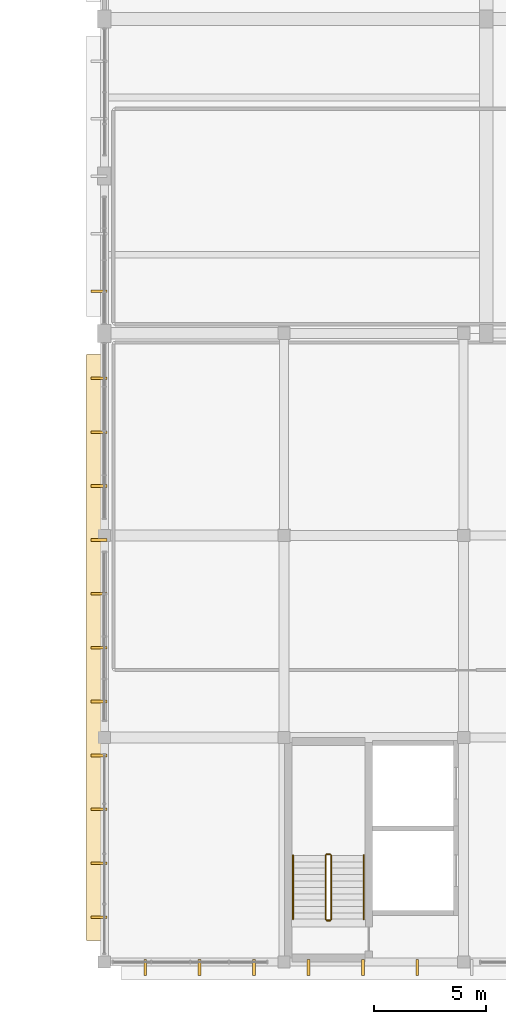
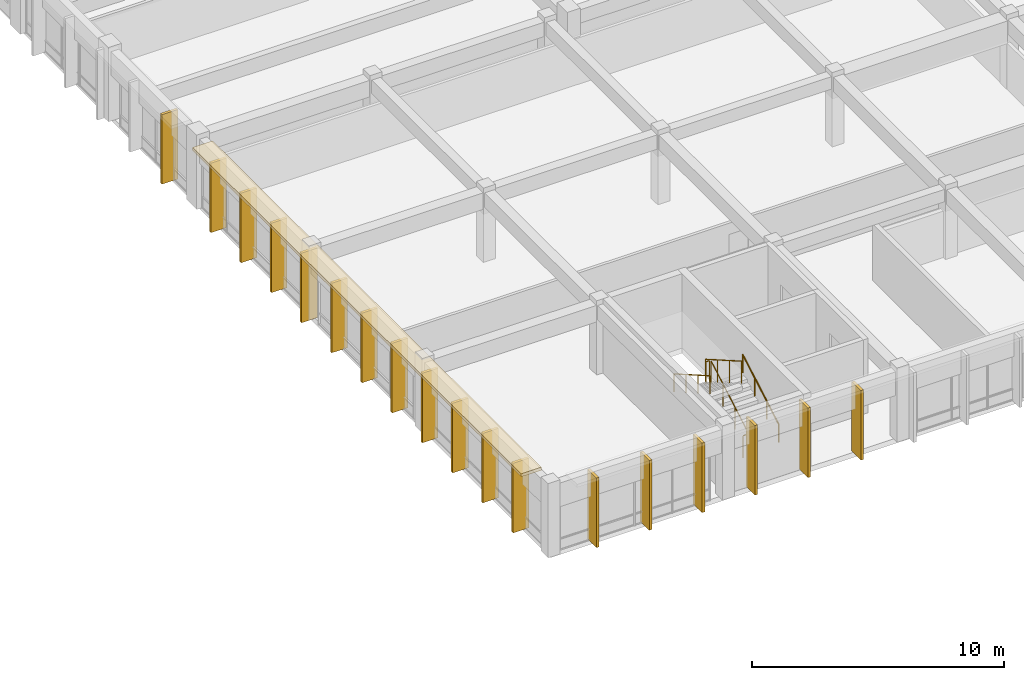
# One storey, part 64 of 77: 19 coverings, 6 railings.
"""IFC4 building model written with IfcOpenShell, lengths in metres."""

from ifc_helpers import new_model, si_unit, direction, frame, origin, origin_2d, place, context, subcontext, project, spatial, rectangle, circle, extrude, material, layer, layer_set, type_object, element, save


model = new_model("IFC4")

# Units and contexts
model_context = context("Model", 3, precision=1e-05, world=origin(), true_north=direction((0.0, 1.0)))
body_context = subcontext(model_context, "Body", "Model", "MODEL_VIEW")
ifc_project = project(units=[si_unit("LENGTHUNIT", "METRE"), si_unit("AREAUNIT", "SQUARE_METRE"), si_unit("VOLUMEUNIT", "CUBIC_METRE"), si_unit("PLANEANGLEUNIT", "RADIAN"), si_unit("MASSUNIT", "GRAM", prefix="KILO")], contexts=[model_context])

# Site, building, storey
site_placement = place(None, origin())
site = spatial("IfcSite", under=ifc_project, at=site_placement, CompositionType="ELEMENT")
building_placement = place(site_placement, origin())
building = spatial("IfcBuilding", under=site, at=building_placement, Name="Larkveld Mobility Hub", CompositionType="ELEMENT")
storey_placement = place(building_placement, frame((0.0, 0.0, 12.0)))
storey = spatial("IfcBuildingStorey", under=building, at=storey_placement, Name="L03", CompositionType="ELEMENT", Elevation=12.0)

# Coverings
ifc_material_1 = material(Name="Precast concrete C50/60", Category="concrete")
ifc_layer_1 = layer(ifc_material_1, 0.14990234375, Name="Precast concrete C50/60", Category="concrete")
ifc_layer_set_1 = layer_set([ifc_layer_1], Name="Precast concrete C50/60")
covering_type_1 = type_object("IfcCoveringType", Name="COV-QSL-H01", PredefinedType="CLADDING", material=ifc_layer_set_1)
covering_placement = place(storey_placement, frame((111.659912109375, 14.0, 3.3701171875), z_axis=(0.0, 0.0, 1.0), x_axis=(0.0, -1.0, 0.0)))
element("IfcCovering", 1, at=covering_placement, inside=storey, type_object=covering_type_1, Name="Precast Quebra-Sol Horizontal Sunbreaker QSH-342", PredefinedType="CLADDING", context=body_context, shape_type="SweptSolid", body=[
    extrude(rectangle(XDim=26.10009765625, YDim=0.919921875, at=origin_2d()), origin(), (0.0, 0.0, 1.0), 0.14990234375),
])
ifc_layer_2 = layer(ifc_material_1, 0.1201171875, Name="Precast concrete C50/60", Category="concrete")
ifc_layer_set_2 = layer_set([ifc_layer_2], Name="Precast concrete C50/60")
covering_type_2 = type_object("IfcCoveringType", Name="COV-QSL-V01", PredefinedType="CLADDING", material=ifc_layer_set_2)
for number, where, z_axis, x_axis, name in (
    (2, (113.81201171875, -0.239990234375, -0.01953125), (0.0, 0.0, 1.0), (1.0, 0.0, 0.0), "Precast Quebra-Sol Vertical Fin QSV-301"),
    (3, (116.237060546875, -0.239990234375, -0.01953125), (0.0, 0.0, 1.0), (1.0, 0.0, 0.0), "Precast Quebra-Sol Vertical Fin QSV-302"),
    (4, (118.662109375, -0.239990234375, -0.01953125), (0.0, 0.0, 1.0), (1.0, 0.0, 0.0), "Precast Quebra-Sol Vertical Fin QSV-303"),
    (5, (121.0869140625, -0.239990234375, -0.01953125), (0.0, 0.0, 1.0), (1.0, 0.0, 0.0), "Precast Quebra-Sol Vertical Fin QSV-304"),
    (6, (123.512939453125, -0.239990234375, -0.01953125), (0.0, 0.0, 1.0), (1.0, 0.0, 0.0), "Precast Quebra-Sol Vertical Fin QSV-305"),
    (7, (125.93798828125, -0.239990234375, -0.01953125), (0.0, 0.0, 1.0), (1.0, 0.0, 0.0), "Precast Quebra-Sol Vertical Fin QSV-306"),
    (8, (111.760009765625, 26.0, -0.01953125), (0.0, 0.0, 1.0), (0.0, -1.0, 0.0), "Precast Quebra-Sol Vertical Fin QSV-343"),
    (9, (111.760009765625, 23.60009765625, -0.01953125), (0.0, 0.0, 1.0), (0.0, -1.0, 0.0), "Precast Quebra-Sol Vertical Fin QSV-344"),
    (10, (111.760009765625, 21.199951171875, -0.01953125), (0.0, 0.0, 1.0), (0.0, -1.0, 0.0), "Precast Quebra-Sol Vertical Fin QSV-345"),
    (11, (111.760009765625, 18.800048828125, -0.01953125), (0.0, 0.0, 1.0), (0.0, -1.0, 0.0), "Precast Quebra-Sol Vertical Fin QSV-346"),
    (12, (111.760009765625, 16.39990234375, -0.01953125), (0.0, 0.0, 1.0), (0.0, -1.0, 0.0), "Precast Quebra-Sol Vertical Fin QSV-347"),
    (13, (111.760009765625, 14.0, -0.01953125), (0.0, 0.0, 1.0), (0.0, -1.0, 0.0), "Precast Quebra-Sol Vertical Fin QSV-348"),
    (14, (111.760009765625, 11.60009765625, -0.01953125), (0.0, 0.0, 1.0), (0.0, -1.0, 0.0), "Precast Quebra-Sol Vertical Fin QSV-349"),
    (15, (111.760009765625, 9.199951171875, -0.01953125), (0.0, 0.0, 1.0), (0.0, -1.0, 0.0), "Precast Quebra-Sol Vertical Fin QSV-350"),
    (16, (111.760009765625, 6.800048828125, -0.01953125), (0.0, 0.0, 1.0), (0.0, -1.0, 0.0), "Precast Quebra-Sol Vertical Fin QSV-351"),
    (17, (111.760009765625, 4.39990234375, -0.01953125), (0.0, 0.0, 1.0), (0.0, -1.0, 0.0), "Precast Quebra-Sol Vertical Fin QSV-352"),
    (18, (111.760009765625, 2.0, -0.01953125), (0.0, 0.0, 1.0), (0.0, -1.0, 0.0), "Precast Quebra-Sol Vertical Fin QSV-353"),
    (19, (111.760009765625, 29.8798828125, -0.01953125), (0.0, 0.0, 1.0), (0.0, -1.0, 0.0), "Precast Quebra-Sol Vertical Fin QSV-505"),
):
    element("IfcCovering", number, at=place(storey_placement, frame(where, z_axis=z_axis, x_axis=x_axis)), inside=storey, type_object=covering_type_2, Name=name, PredefinedType="CLADDING", context=body_context, shape_type="SweptSolid", body=[
        extrude(rectangle(XDim=0.1201171875, YDim=0.719970703125, at=origin_2d()), origin(), (0.0, 0.0, 1.0), 3.375),
    ])

# Railings
ifc_material_2 = material(Name="Galvanized Steel S355JR balustrade", Category="steel")
railing_type_1 = type_object("IfcRailingType", Name="RL-GRD-1100", PredefinedType="GUARDRAIL", material=ifc_material_2)
railing_1_placement = place(storey_placement, frame((122.10009765625, 1.89990234375, 0.16357421875)))
element("IfcRailing", 20, at=railing_1_placement, inside=storey, type_object=railing_type_1, Name="L03 ST4 stair guard 1", PredefinedType="GUARDRAIL", context=body_context, shape_type="SweptSolid", body=[
    extrude(circle(Radius=0.02392578125, at=origin_2d()), frame((0.0, 0.0, 1.076171875), z_axis=(0.0, 0.86721270334, 0.497937874806), x_axis=(-1.0, 0.0, 0.0)), (0.0, 0.0, 1.0), 3.28662109375),
    extrude(circle(Radius=0.02099609375, at=origin_2d()), origin(), (0.0, 0.0, 1.0), 1.052001953125),
    extrude(circle(Radius=0.02099609375, at=origin_2d()), frame((0.0, 0.949951171875, 0.54541015625)), (0.0, 0.0, 1.0), 1.052001953125),
    extrude(circle(Radius=0.02099609375, at=origin_2d()), frame((0.0, 1.900146484375, 1.091064453125)), (0.0, 0.0, 1.0), 1.052001953125),
    extrude(circle(Radius=0.02099609375, at=origin_2d()), frame((0.0, 2.85009765625, 1.636474609375)), (0.0, 0.0, 1.0), 1.052001953125),
])
railing_2_placement = place(storey_placement, frame((122.050048828125, 4.800048828125, 1.800048828125)))
element("IfcRailing", 21, at=railing_2_placement, inside=storey, type_object=railing_type_1, Name="L03 ST4 stair guard 2", PredefinedType="GUARDRAIL", context=body_context, shape_type="SweptSolid", body=[
    extrude(circle(Radius=0.02392578125, at=origin_2d()), frame((0.0, 0.0, 1.076171875), z_axis=(-1.0, 0.0, 0.0), x_axis=(0.0, -1.0, 0.0)), (0.0, 0.0, 1.0), 0.150146484375),
    extrude(circle(Radius=0.02099609375, at=origin_2d()), origin(), (0.0, 0.0, 1.0), 1.052001953125),
    extrude(circle(Radius=0.02099609375, at=origin_2d()), frame((-0.150146484375, 0.0, 0.0)), (0.0, 0.0, 1.0), 1.052001953125),
])
railing_3_placement = place(storey_placement, frame((121.85009765625, 4.75, 1.963623046875)))
element("IfcRailing", 22, at=railing_3_placement, inside=storey, type_object=railing_type_1, Name="L03 ST4 stair guard 3", PredefinedType="GUARDRAIL", context=body_context, shape_type="SweptSolid", body=[
    extrude(circle(Radius=0.02392578125, at=origin_2d()), frame((0.0, 0.0, 1.076171875), z_axis=(0.0, -0.86721270334, 0.497937874806), x_axis=(1.0, 0.0, 0.0)), (0.0, 0.0, 1.0), 3.28662109375),
    extrude(circle(Radius=0.02099609375, at=origin_2d()), origin(), (0.0, 0.0, 1.0), 1.052001953125),
    extrude(circle(Radius=0.02099609375, at=origin_2d()), frame((0.0, -0.949951171875, 0.54541015625)), (0.0, 0.0, 1.0), 1.052001953125),
    extrude(circle(Radius=0.02099609375, at=origin_2d()), frame((0.0, -1.900146484375, 1.091064453125)), (0.0, 0.0, 1.0), 1.052001953125),
    extrude(circle(Radius=0.02099609375, at=origin_2d()), frame((0.0, -2.85009765625, 1.636474609375)), (0.0, 0.0, 1.0), 1.052001953125),
])
railing_4_placement = place(storey_placement, frame((122.050048828125, 1.85009765625, 0.0)))
element("IfcRailing", 23, at=railing_4_placement, inside=storey, type_object=railing_type_1, Name="L03 ST4 stair guard 4", PredefinedType="GUARDRAIL", context=body_context, shape_type="SweptSolid", body=[
    extrude(circle(Radius=0.02392578125, at=origin_2d()), frame((0.0, 0.0, 1.076171875), z_axis=(-1.0, 0.0, 0.0), x_axis=(0.0, -1.0, 0.0)), (0.0, 0.0, 1.0), 0.150146484375),
    extrude(circle(Radius=0.02099609375, at=origin_2d()), origin(), (0.0, 0.0, 1.0), 1.052001953125),
    extrude(circle(Radius=0.02099609375, at=origin_2d()), frame((-0.150146484375, 0.0, 0.0)), (0.0, 0.0, 1.0), 1.052001953125),
])
ifc_material_3 = material(Name="Brushed Steel S355JR tubular handrail", Category="steel")
railing_type_2 = type_object("IfcRailingType", Name="RL-HND-0900", PredefinedType="HANDRAIL", material=ifc_material_3)
railing_5_placement = place(storey_placement, frame((123.550048828125, 1.89990234375, 0.16357421875)))
element("IfcRailing", 24, at=railing_5_placement, inside=storey, type_object=railing_type_2, Name="L03 ST4 stair handrail 1", PredefinedType="HANDRAIL", context=body_context, shape_type="SweptSolid", body=[
    extrude(circle(Radius=0.02392578125, at=origin_2d()), frame((0.0, 0.0, 0.8759765625), z_axis=(0.0, 0.86721270334, 0.497937874806), x_axis=(-1.0, 0.0, 0.0)), (0.0, 0.0, 1.0), 3.28662109375),
    extrude(circle(Radius=0.02099609375, at=origin_2d()), origin(), (0.0, 0.0, 1.0), 0.851806640625),
    extrude(circle(Radius=0.02099609375, at=origin_2d()), frame((0.0, 0.949951171875, 0.54541015625)), (0.0, 0.0, 1.0), 0.851806640625),
    extrude(circle(Radius=0.02099609375, at=origin_2d()), frame((0.0, 1.900146484375, 1.091064453125)), (0.0, 0.0, 1.0), 0.851806640625),
    extrude(circle(Radius=0.02099609375, at=origin_2d()), frame((0.0, 2.85009765625, 1.636474609375)), (0.0, 0.0, 1.0), 0.851806640625),
])
railing_6_placement = place(storey_placement, frame((120.39990234375, 4.75, 1.963623046875)))
element("IfcRailing", 25, at=railing_6_placement, inside=storey, type_object=railing_type_2, Name="L03 ST4 stair handrail 2", PredefinedType="HANDRAIL", context=body_context, shape_type="SweptSolid", body=[
    extrude(circle(Radius=0.02392578125, at=origin_2d()), frame((0.0, 0.0, 0.8759765625), z_axis=(0.0, -0.86721270334, 0.497937874806), x_axis=(1.0, 0.0, 0.0)), (0.0, 0.0, 1.0), 3.28662109375),
    extrude(circle(Radius=0.02099609375, at=origin_2d()), origin(), (0.0, 0.0, 1.0), 0.851806640625),
    extrude(circle(Radius=0.02099609375, at=origin_2d()), frame((0.0, -0.949951171875, 0.54541015625)), (0.0, 0.0, 1.0), 0.851806640625),
    extrude(circle(Radius=0.02099609375, at=origin_2d()), frame((0.0, -1.900146484375, 1.091064453125)), (0.0, 0.0, 1.0), 0.851806640625),
    extrude(circle(Radius=0.02099609375, at=origin_2d()), frame((0.0, -2.85009765625, 1.636474609375)), (0.0, 0.0, 1.0), 0.851806640625),
])

save(model, "model.ifc")
